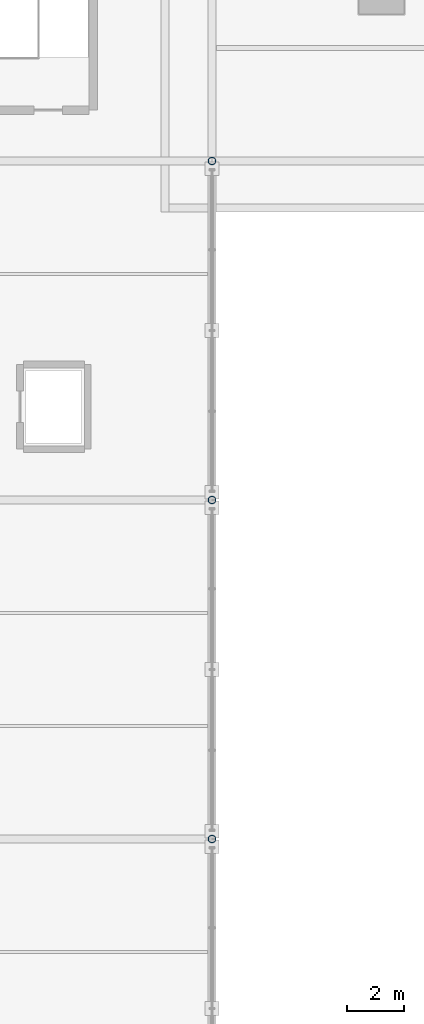
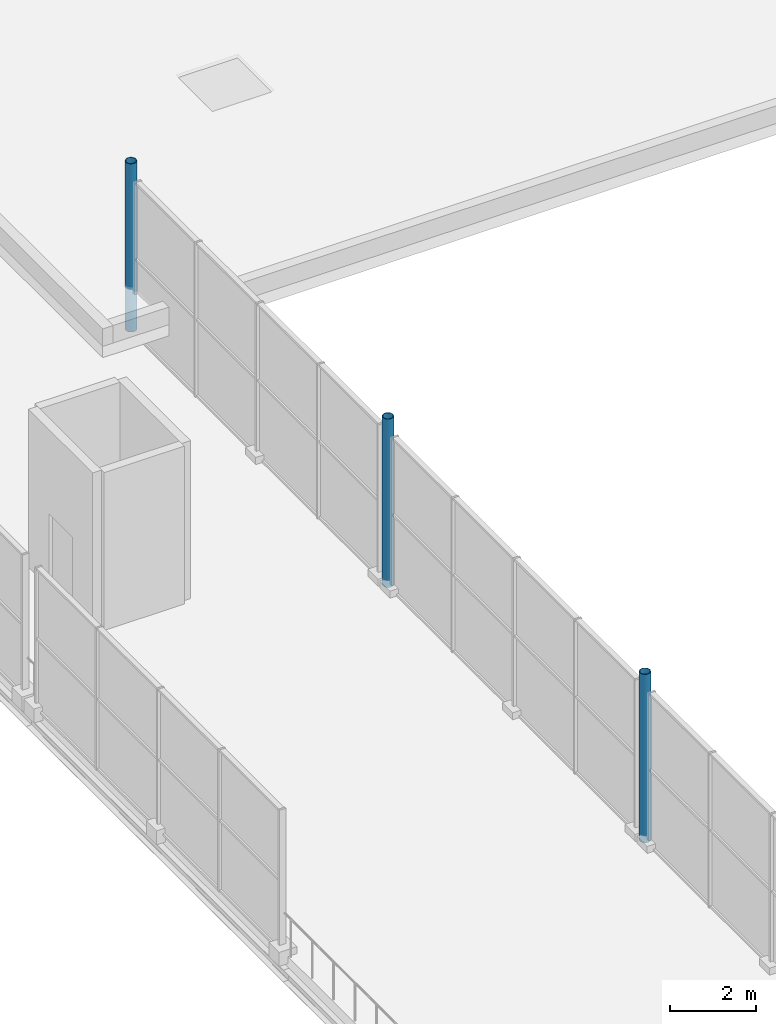
# One storey, part 14 of 159: 3 columns.
"""IFC4 building model written with IfcOpenShell, lengths in metres."""

from ifc_helpers import new_model, si_unit, direction, frame, origin, origin_2d, place, context, subcontext, project, spatial, hollow_circle, extrude, material, material_profile, profile_set, type_object, element, save


model = new_model("IFC4")

# Units and contexts
model_context = context("Model", 3, precision=1e-05, world=origin(), true_north=direction((0.0, 1.0)))
body_context = subcontext(model_context, "Body", "Model", "MODEL_VIEW")
ifc_project = project(units=[si_unit("LENGTHUNIT", "METRE"), si_unit("AREAUNIT", "SQUARE_METRE"), si_unit("VOLUMEUNIT", "CUBIC_METRE"), si_unit("PLANEANGLEUNIT", "RADIAN"), si_unit("MASSUNIT", "GRAM", prefix="KILO")], contexts=[model_context])

# Site, building, storey
site_placement = place(None, origin())
site = spatial("IfcSite", under=ifc_project, at=site_placement, CompositionType="ELEMENT")
building_placement = place(site_placement, origin())
building = spatial("IfcBuilding", under=site, at=building_placement, Name="Merenkruunu Market Hall", CompositionType="ELEMENT")
storey_placement = place(building_placement, frame((0.0, 0.0, 5.39990234375)))
storey = spatial("IfcBuildingStorey", under=building, at=storey_placement, Name="L01", CompositionType="ELEMENT", Elevation=5.39990234375)

# Columns
ifc_material = material(Name="Steel S355ML", Category="steel")
ifc_material_profile = material_profile(ifc_material, hollow_circle(Radius=0.136474609375, WallThickness=0.012451171875, at=origin_2d()), Name="CHS 273x12.5")
ifc_profile_set = profile_set([ifc_material_profile], Name="Steel S355ML")
column_type = type_object("IfcColumnType", Name="Structural Column C14", PredefinedType="COLUMN", material=ifc_profile_set)
for number, where, z_axis, x_axis, name in (
    (1, (76.800048828125, 63.60009765625, 0.0), (0.0, 0.0, 1.0), (1.0, 0.0, 0.0), "COL-L01-J-08"),
    (2, (76.800048828125, 75.60009765625, 0.0), (0.0, 0.0, 1.0), (1.0, 0.0, 0.0), "COL-L01-J-09"),
    (3, (76.800048828125, 87.60009765625, 0.0), (0.0, 0.0, 1.0), (1.0, 0.0, 0.0), "COL-L01-J-10"),
):
    element("IfcColumn", number, at=place(storey_placement, frame(where, z_axis=z_axis, x_axis=x_axis)), inside=storey, type_object=column_type, Name=name, PredefinedType="COLUMN", context=body_context, shape_type="SweptSolid", body=[
        extrude(hollow_circle(Radius=0.136474609375, WallThickness=0.012451171875, at=origin_2d()), origin(), (0.0, 0.0, 1.0), 4.800048828125),
    ])

save(model, "model.ifc")
